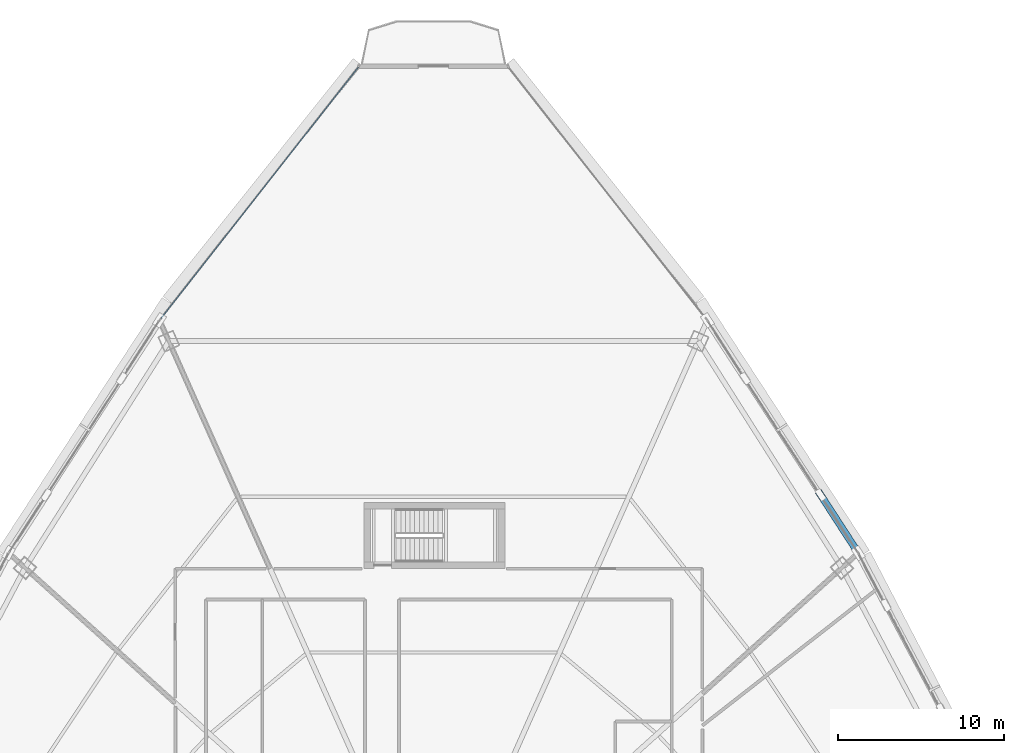
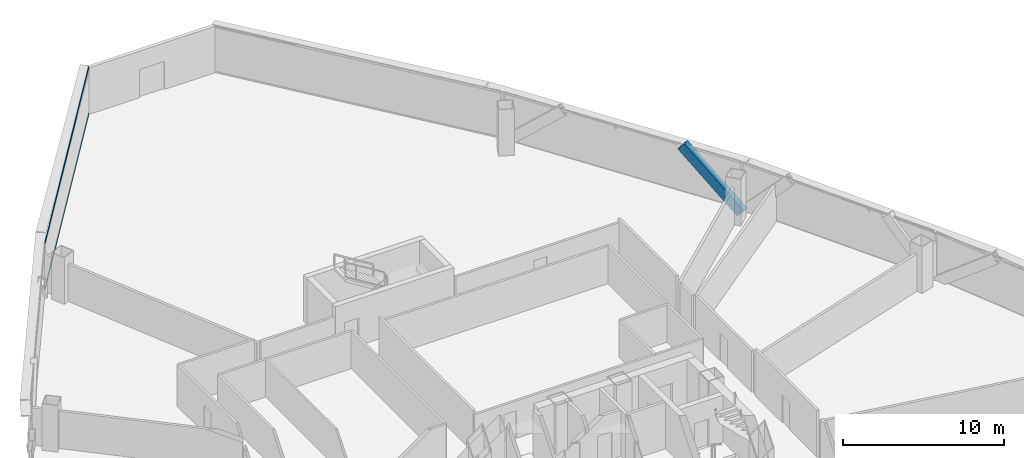
# One storey, part 27 of 41: 3 members, 1 element without a shape of its own.
"""IFC4 building model written with IfcOpenShell, lengths in metres."""

from ifc_helpers import new_model, si_unit, direction, frame, origin, origin_2d, place, context, subcontext, project, spatial, hollow_rectangle, extrude, source, transform, mapped, material, layer, layer_set, material_profile, profile_set, type_object, element, aggregate, save


model = new_model("IFC4")

# Units and contexts
model_context = context("Model", 3, precision=1e-05, world=origin(), true_north=direction((0.0, 1.0)))
body_context = subcontext(model_context, "Body", "Model", "MODEL_VIEW")
ifc_project = project(units=[si_unit("LENGTHUNIT", "METRE"), si_unit("AREAUNIT", "SQUARE_METRE"), si_unit("VOLUMEUNIT", "CUBIC_METRE"), si_unit("PLANEANGLEUNIT", "RADIAN"), si_unit("MASSUNIT", "GRAM", prefix="KILO"), si_unit("THERMODYNAMICTEMPERATUREUNIT", "KELVIN"), si_unit("POWERUNIT", "WATT")], contexts=[model_context])

# Site, building, storey
site_placement = place(None, origin())
site = spatial("IfcSite", under=ifc_project, at=site_placement, CompositionType="ELEMENT")
building_placement = place(site_placement, origin())
building = spatial("IfcBuilding", under=site, at=building_placement, Name="Yunzhuo Pagoda Commons", CompositionType="ELEMENT")
storey_placement = place(building_placement, frame((0.0, 0.0, 111.580078125)))
storey = spatial("IfcBuildingStorey", under=building, at=storey_placement, Name="L28", CompositionType="ELEMENT", Elevation=111.580078125)

# Member
ifc_material_1 = material(Name="Structural steel Q420B", Category="steel")
ifc_material_profile_1 = material_profile(ifc_material_1, hollow_rectangle(XDim=0.419921875, YDim=0.719970703125, WallThickness=0.028076171875, at=origin_2d()), Name="Structural steel Q420B")
ifc_profile_set_1 = profile_set([ifc_material_profile_1], Name="Structural steel Q420B")
member_type_1 = type_object("IfcMemberType", Name="M-DL1 Brace BOX 720x420x28", PredefinedType="BRACE", material=ifc_profile_set_1)
shared_shape_1 = source(origin(), body_context, "Body", "SweptSolid", [
    extrude(hollow_rectangle(XDim=0.419921875, YDim=0.719970703125, WallThickness=0.028076171875, at=origin_2d()), origin(), (0.0, 0.0, 1.0), 5.647216796875),
])
member_1_placement = place(storey_placement, frame((73.592041015625, 56.743408203125, -0.260009765625), z_axis=(-0.402397273405, 0.620715519075, 0.672895741357), x_axis=(-0.839102599947, -0.543973185702, 0.0)))
element("IfcMember", 1, at=member_1_placement, inside=storey, type_object=member_type_1, Name="L28 facade diamond brace F2.3L", PredefinedType="BRACE", context=body_context, shape_type="MappedRepresentation", body=[
    mapped(shared_shape_1, transform((0.0, 0.0, 0.0), scale=1.0)),
])

# Curtain wall, members
ifc_material_2 = material(Name="Anodized aluminium 6063-T6", Category="aluminium")
ifc_layer = layer(ifc_material_2, 0.1650390625)
ifc_layer_set = layer_set([ifc_layer], Name="Anodized aluminium 6063-T6")
curtain_wall_type = type_object("IfcCurtainWallType", Name="CW-LOW Low-Zone Ribbon Curtain Wall", PredefinedType="NOTDEFINED", material=ifc_layer_set)
curtain_wall_placement = place(storey_placement, origin())
curtain_wall = element("IfcCurtainWall", 2, at=curtain_wall_placement, inside=storey, type_object=curtain_wall_type, Name="L28 curtain wall CW-L28-F3B1", PredefinedType="NOTDEFINED")
ifc_material_profile_2 = material_profile(ifc_material_2, hollow_rectangle(XDim=0.06005859375, YDim=0.139892578125, WallThickness=0.00341796875, at=origin_2d()), Name="Anodized aluminium 6063-T6")
ifc_profile_set_2 = profile_set([ifc_material_profile_2], Name="Anodized aluminium 6063-T6")
member_type_2 = type_object("IfcMemberType", Name="CW-LOW-T Transom RHS 140x60x3.5", PredefinedType="USERDEFINED", material=ifc_profile_set_2)
shared_shape_2 = source(origin(), body_context, "Body", "SweptSolid", [
    extrude(hollow_rectangle(XDim=0.06005859375, YDim=0.139892578125, WallThickness=0.00341796875, at=origin_2d()), origin(), (0.0, 0.0, 1.0), 19.26220703125),
])
member_2_placement = place(storey_placement, frame((43.483154296875, 86.022705078125, 0.030029296875), z_axis=(-0.617722469161, -0.786396179475, 0.0), x_axis=(0.786396179475, -0.617722469161, 0.0)))
member_2 = element("IfcMember", 3, at=member_2_placement, type_object=member_type_2, Name="CW transom 1.1", ObjectType="TRANSOM", PredefinedType="USERDEFINED", context=body_context, shape_type="MappedRepresentation", body=[
    mapped(shared_shape_2, transform((0.0, 0.0, 0.0), scale=1.0)),
])
member_3_placement = place(storey_placement, frame((43.483154296875, 86.022705078125, 3.510009765625), z_axis=(-0.617722469161, -0.786396179475, 0.0), x_axis=(0.786396179475, -0.617722469161, 0.0)))
member_3 = element("IfcMember", 4, at=member_3_placement, type_object=member_type_2, Name="CW transom 1.2", ObjectType="TRANSOM", PredefinedType="USERDEFINED", context=body_context, shape_type="MappedRepresentation", body=[
    mapped(shared_shape_2, transform((0.0, 0.0, 0.0), scale=1.0)),
])
aggregate(curtain_wall, [member_2, member_3])

save(model, "model.ifc")
